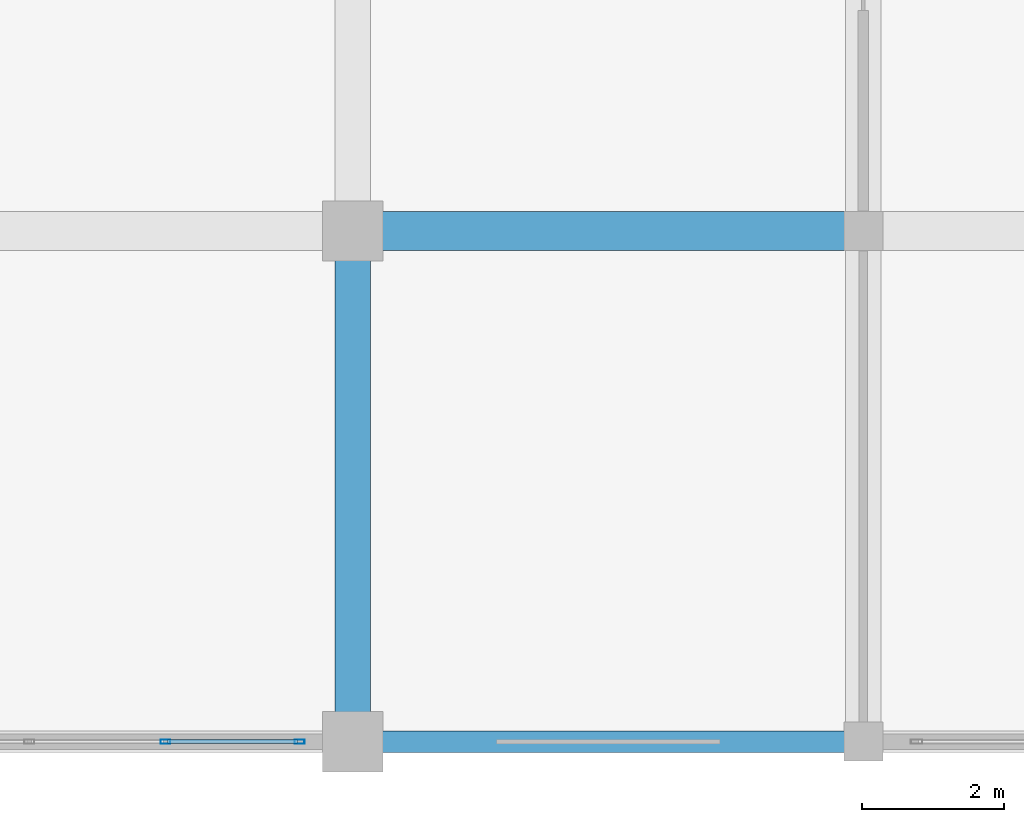
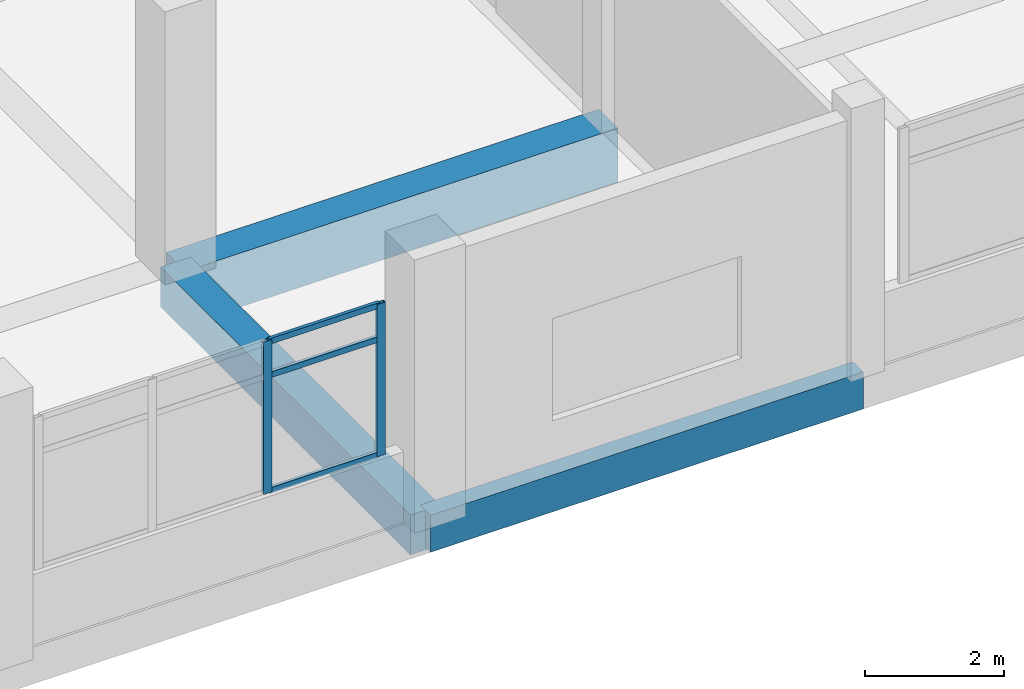
# One storey, part 45 of 181: 5 members, 3 beams, 1 element without a shape of its own.
"""IFC4 building model written with IfcOpenShell, lengths in metres."""

from ifc_helpers import new_model, si_unit, direction, frame, origin, origin_2d, place, context, subcontext, project, spatial, rectangle, hollow_rectangle, extrude, material, layer, layer_set, material_profile, profile_set, type_object, element, aggregate, save


model = new_model("IFC4")

# Units and contexts
model_context = context("Model", 3, precision=1e-05, world=origin(), true_north=direction((0.0, 1.0)))
body_context = subcontext(model_context, "Body", "Model", "MODEL_VIEW")
ifc_project = project(units=[si_unit("LENGTHUNIT", "METRE"), si_unit("AREAUNIT", "SQUARE_METRE"), si_unit("VOLUMEUNIT", "CUBIC_METRE"), si_unit("PLANEANGLEUNIT", "RADIAN"), si_unit("MASSUNIT", "GRAM", prefix="KILO")], contexts=[model_context])

# Site, building, storey
site_placement = place(None, origin())
site = spatial("IfcSite", under=ifc_project, at=site_placement, CompositionType="ELEMENT")
building_placement = place(site_placement, origin())
building = spatial("IfcBuilding", under=site, at=building_placement, Name="Seraya Terrace Polytechnic", CompositionType="ELEMENT")
storey_placement = place(building_placement, frame((0.0, 0.0, 4.800048828125)))
storey = spatial("IfcBuildingStorey", under=building, at=storey_placement, Name="L01", CompositionType="ELEMENT", Elevation=4.800048828125)

# Beams
ifc_material_1 = material(Name="Concrete C40/50", Category="concrete")
ifc_material_profile_1 = material_profile(ifc_material_1, rectangle(XDim=0.550048828125, YDim=0.949951171875, at=origin_2d()), Name="RC 550x950")
ifc_profile_set_1 = profile_set([ifc_material_profile_1], Name="Concrete C40/50")
beam_type_1 = type_object("IfcBeamType", Name="BM-03", PredefinedType="BEAM", material=ifc_profile_set_1)
beam_1_placement = place(storey_placement, frame((122.39990234375, 7.199951171875, -0.47509765625), z_axis=(1.0, 0.0, 0.0), x_axis=(0.0, 1.0, 0.0)))
element("IfcBeam", 1, at=beam_1_placement, inside=storey, type_object=beam_type_1, Name="Beam BM-03 L01 X (122.4..129.6, 7.2)", PredefinedType="BEAM", context=body_context, shape_type="SweptSolid", body=[
    extrude(rectangle(XDim=0.550048828125, YDim=0.949951171875, at=origin_2d()), origin(), (0.0, 0.0, 1.0), 7.2001953125),
])
ifc_material_profile_2 = material_profile(ifc_material_1, rectangle(XDim=0.5, YDim=0.699951171875, at=origin_2d()), Name="RC 500x700")
ifc_profile_set_2 = profile_set([ifc_material_profile_2], Name="Concrete C40/50")
beam_type_2 = type_object("IfcBeamType", Name="BM-07", PredefinedType="BEAM", material=ifc_profile_set_2)
beam_2_placement = place(storey_placement, frame((122.39990234375, 0.0, -0.35009765625), z_axis=(0.0, 1.0, 0.0), x_axis=(-1.0, 0.0, 0.0)))
element("IfcBeam", 2, at=beam_2_placement, inside=storey, type_object=beam_type_2, Name="Beam BM-07 L01 Y (122.4, 0.0..7.2)", PredefinedType="BEAM", context=body_context, shape_type="SweptSolid", body=[
    extrude(rectangle(XDim=0.5, YDim=0.699951171875, at=origin_2d()), origin(), (0.0, 0.0, 1.0), 7.199951171875),
])

# Curtain wall, members
ifc_material_2 = material(Name="Anodised aluminium EN AW-6063 T6", Category="aluminium")
ifc_layer = layer(ifc_material_2, 0.179931640625, Name="CW-30")
ifc_layer_set = layer_set([ifc_layer], Name="Anodised aluminium EN AW-6063 T6")
curtain_wall_type = type_object("IfcCurtainWallType", Name="CW-30", PredefinedType="NOTDEFINED", material=ifc_layer_set)
curtain_wall_placement = place(storey_placement, origin())
curtain_wall = element("IfcCurtainWall", 3, at=curtain_wall_placement, inside=storey, type_object=curtain_wall_type, Name="Unitised curtain wall CW-30 (CW-L01-030)", PredefinedType="NOTDEFINED")
ifc_material_profile_3 = material_profile(ifc_material_2, hollow_rectangle(XDim=0.06005859375, YDim=0.139892578125, WallThickness=0.00341796875, at=origin_2d()), Name="RHS 140x60x3.5")
ifc_profile_set_3 = profile_set([ifc_material_profile_3], Name="Anodised aluminium EN AW-6063 T6")
member_type_1 = type_object("IfcMemberType", Name="CWM-03", PredefinedType="MULLION", material=ifc_profile_set_3)
member_1_placement = place(storey_placement, frame((121.64990234375, 0.0, 1.239990234375), z_axis=(0.0, 0.0, 1.0), x_axis=(0.0, -1.0, 0.0)))
member_1 = element("IfcMember", 4, at=member_1_placement, type_object=member_type_1, Name="CW-30 mullion 1", PredefinedType="MULLION", context=body_context, shape_type="SweptSolid", body=[
    extrude(hollow_rectangle(XDim=0.06005859375, YDim=0.139892578125, WallThickness=0.00341796875, at=origin_2d()), origin(), (0.0, 0.0, 1.0), 2.679931640625),
])
member_2_placement = place(storey_placement, frame((119.760009765625, 0.0, 1.239990234375), z_axis=(0.0, 0.0, 1.0), x_axis=(0.0, -1.0, 0.0)))
member_2 = element("IfcMember", 5, at=member_2_placement, type_object=member_type_1, Name="CW-30 mullion 2", PredefinedType="MULLION", context=body_context, shape_type="SweptSolid", body=[
    extrude(hollow_rectangle(XDim=0.06005859375, YDim=0.139892578125, WallThickness=0.00341796875, at=origin_2d()), origin(), (0.0, 0.0, 1.0), 2.679931640625),
])
ifc_material_profile_4 = material_profile(ifc_material_2, hollow_rectangle(XDim=0.054931640625, YDim=0.10009765625, WallThickness=0.0029296875, at=origin_2d()), Name="RHS 100x55x3.0")
ifc_profile_set_4 = profile_set([ifc_material_profile_4], Name="Anodised aluminium EN AW-6063 T6")
member_type_2 = type_object("IfcMemberType", Name="CWT-03", PredefinedType="USERDEFINED", material=ifc_profile_set_4)
member_3_placement = place(storey_placement, frame((121.6201171875, 0.0, 1.267333984375), z_axis=(-1.0, 0.0, 0.0), x_axis=(0.0, -1.0, 0.0)))
member_3 = element("IfcMember", 6, at=member_3_placement, type_object=member_type_2, Name="CW-30 transom 1.1", ObjectType="TRANSOM", PredefinedType="USERDEFINED", context=body_context, shape_type="SweptSolid", body=[
    extrude(hollow_rectangle(XDim=0.054931640625, YDim=0.10009765625, WallThickness=0.0029296875, at=origin_2d()), origin(), (0.0, 0.0, 1.0), 1.830078125),
])
member_4_placement = place(storey_placement, frame((121.6201171875, 0.0, 3.300048828125), z_axis=(-1.0, 0.0, 0.0), x_axis=(0.0, -1.0, 0.0)))
member_4 = element("IfcMember", 7, at=member_4_placement, type_object=member_type_2, Name="CW-30 transom 1.2", ObjectType="TRANSOM", PredefinedType="USERDEFINED", context=body_context, shape_type="SweptSolid", body=[
    extrude(hollow_rectangle(XDim=0.054931640625, YDim=0.10009765625, WallThickness=0.0029296875, at=origin_2d()), origin(), (0.0, 0.0, 1.0), 1.830078125),
])
member_5_placement = place(storey_placement, frame((121.6201171875, 0.0, 3.892333984375), z_axis=(-1.0, 0.0, 0.0), x_axis=(0.0, -1.0, 0.0)))
member_5 = element("IfcMember", 8, at=member_5_placement, type_object=member_type_2, Name="CW-30 transom 1.3", ObjectType="TRANSOM", PredefinedType="USERDEFINED", context=body_context, shape_type="SweptSolid", body=[
    extrude(hollow_rectangle(XDim=0.054931640625, YDim=0.10009765625, WallThickness=0.0029296875, at=origin_2d()), origin(), (0.0, 0.0, 1.0), 1.830078125),
])
aggregate(curtain_wall, [member_1, member_2, member_3, member_4, member_5])

# Beam
ifc_material_profile_5 = material_profile(ifc_material_1, rectangle(XDim=0.300048828125, YDim=0.64990234375, at=origin_2d()), Name="RC 300x650")
ifc_profile_set_5 = profile_set([ifc_material_profile_5], Name="Concrete C40/50")
beam_type_3 = type_object("IfcBeamType", Name="SP-01", PredefinedType="SPANDREL", material=ifc_profile_set_5)
beam_3_placement = place(storey_placement, frame((122.39990234375, 0.0, -0.324951171875), z_axis=(1.0, 0.0, 0.0), x_axis=(0.0, 1.0, 0.0)))
element("IfcBeam", 9, at=beam_3_placement, inside=storey, type_object=beam_type_3, Name="Beam SP-01 L01 X (122.4..129.6, 0.0)", PredefinedType="SPANDREL", context=body_context, shape_type="SweptSolid", body=[
    extrude(rectangle(XDim=0.300048828125, YDim=0.64990234375, at=origin_2d()), origin(), (0.0, 0.0, 1.0), 7.2001953125),
])

save(model, "model.ifc")
